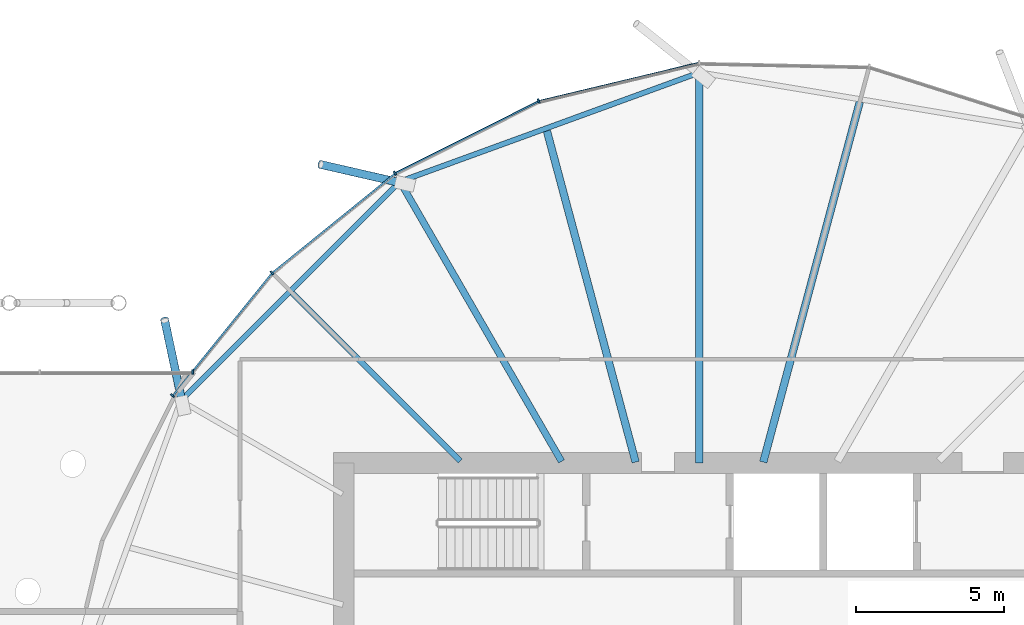
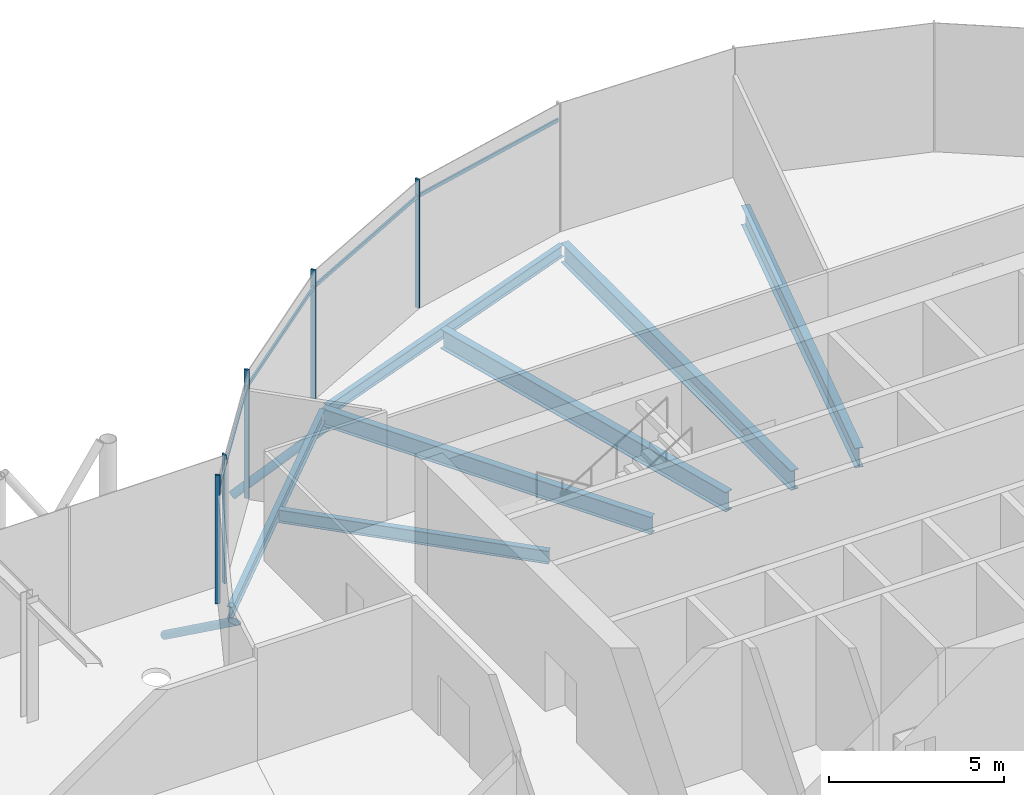
# One storey, part 15 of 36: 11 members, 7 beams, 2 elements without a shape of their own.
"""IFC4 building model written with IfcOpenShell, lengths in metres."""

from ifc_helpers import new_model, si_unit, direction, frame, origin, origin_2d, place, context, subcontext, project, spatial, rectangle, hollow_circle, i_section, extrude, clip, halfspace, material, material_profile, profile_set, type_object, element, aggregate, save


model = new_model("IFC4")

# Units and contexts
model_context = context("Model", 3, precision=1e-05, world=origin(), true_north=direction((0.0, 1.0)))
body_context = subcontext(model_context, "Body", "Model", "MODEL_VIEW")
ifc_project = project(units=[si_unit("LENGTHUNIT", "METRE"), si_unit("AREAUNIT", "SQUARE_METRE"), si_unit("VOLUMEUNIT", "CUBIC_METRE"), si_unit("PLANEANGLEUNIT", "RADIAN"), si_unit("MASSUNIT", "GRAM", prefix="KILO")], contexts=[model_context])

# Site, building, storey
site_placement = place(None, origin())
site = spatial("IfcSite", under=ifc_project, at=site_placement, CompositionType="ELEMENT")
building_placement = place(site_placement, origin())
building = spatial("IfcBuilding", under=site, at=building_placement, Name="Rimbun Link Towers", CompositionType="ELEMENT")
storey_placement = place(building_placement, frame((0.0, 0.0, 154.39990234375)))
storey = spatial("IfcBuildingStorey", under=building, at=storey_placement, Name="L37", CompositionType="ELEMENT", Elevation=154.39990234375)

# Curtain wall, members
ifc_material_1 = material(Name="Aluminium 6063-T6 and low-iron glass", Category="aluminium")
curtain_wall_type = type_object("IfcCurtainWallType", Name="CW5 full height lobby wall", PredefinedType="NOTDEFINED", material=ifc_material_1)
curtain_wall_1_placement = place(storey_placement, origin())
curtain_wall_1 = element("IfcCurtainWall", 1, at=curtain_wall_1_placement, inside=storey, type_object=curtain_wall_type, Name="CW5 L37 T2", PredefinedType="NOTDEFINED")
ifc_material_2 = material(Name="Aluminium 6063-T6", Category="aluminium")
ifc_material_profile_1 = material_profile(ifc_material_2, rectangle(XDim=0.14990234375, YDim=0.06005859375, at=origin_2d()), Name="MULLION 60X150")
ifc_profile_set_1 = profile_set([ifc_material_profile_1], Name="Aluminium 6063-T6")
member_type_1 = type_object("IfcMemberType", Name="CW5 mullion 60X150", PredefinedType="MULLION", material=ifc_profile_set_1)
member_1_placement = place(storey_placement, frame((26.32763671875, 20.2109375, 0.0), z_axis=(0.0, 0.0, 1.0), x_axis=(-0.342963066451, 0.939348888886, 0.0)))
member_1 = element("IfcMember", 2, at=member_1_placement, type_object=member_type_1, Name="CW5 mullion", PredefinedType="MULLION", context=body_context, shape_type="SweptSolid", body=[
    extrude(rectangle(XDim=0.14990234375, YDim=0.06005859375, at=origin_2d()), origin(), (0.0, 0.0, 1.0), 4.5),
])
member_2_placement = place(storey_placement, frame((21.48193359375, 17.777587890625, 0.0), z_axis=(0.0, 0.0, 1.0), x_axis=(-0.542101516084, 0.840313004933, 0.0)))
member_2 = element("IfcMember", 3, at=member_2_placement, type_object=member_type_1, Name="CW5 mullion", PredefinedType="MULLION", context=body_context, shape_type="SweptSolid", body=[
    extrude(rectangle(XDim=0.14990234375, YDim=0.06005859375, at=origin_2d()), origin(), (0.0, 0.0, 1.0), 4.5),
])
member_3_placement = place(storey_placement, frame((17.331787109375, 14.418212890625, 0.0), z_axis=(0.0, 0.0, 1.0), x_axis=(-0.707106781187, 0.707106781187, 0.0)))
member_3 = element("IfcMember", 4, at=member_3_placement, type_object=member_type_1, Name="CW5 mullion", PredefinedType="MULLION", context=body_context, shape_type="SweptSolid", body=[
    extrude(rectangle(XDim=0.14990234375, YDim=0.06005859375, at=origin_2d()), origin(), (0.0, 0.0, 1.0), 4.5),
])
member_4_placement = place(storey_placement, frame((13.97705078125, 10.274658203125, 0.0), z_axis=(0.0, 0.0, 1.0), x_axis=(-0.777276803841, 0.629158779809, 0.0)))
member_4 = element("IfcMember", 5, at=member_4_placement, type_object=member_type_1, Name="CW5 mullion", PredefinedType="MULLION", context=body_context, shape_type="SweptSolid", body=[
    extrude(rectangle(XDim=0.14990234375, YDim=0.06005859375, at=origin_2d()), origin(), (0.0, 0.0, 1.0), 4.5),
])

# Curtain wall, member
curtain_wall_2_placement = place(storey_placement, origin())
curtain_wall_2 = element("IfcCurtainWall", 6, at=curtain_wall_2_placement, inside=storey, type_object=curtain_wall_type, Name="CW5 L37 LB", PredefinedType="NOTDEFINED")
member_5_placement = place(storey_placement, frame((14.66064453125, 11.074951171875, 0.0), z_axis=(0.0, 0.0, 1.0), x_axis=(0.0, 1.0, 0.0)))
member_5 = element("IfcMember", 7, at=member_5_placement, type_object=member_type_1, Name="CW5 mullion", PredefinedType="MULLION", context=body_context, shape_type="SweptSolid", body=[
    extrude(rectangle(XDim=0.14990234375, YDim=0.06005859375, at=origin_2d()), origin(), (0.0, 0.0, 1.0), 4.5),
])
aggregate(curtain_wall_2, [member_5])

# Member
ifc_material_3 = material(Name="Aluminium 6063-T6", Category="aluminium")
ifc_material_profile_2 = material_profile(ifc_material_3, rectangle(XDim=0.06005859375, YDim=0.1201171875, at=origin_2d()), Name="TRANSOM 60X120")
ifc_profile_set_2 = profile_set([ifc_material_profile_2], Name="Aluminium 6063-T6")
member_type_2 = type_object("IfcMemberType", Name="CW5 transom 60X120", PredefinedType="USERDEFINED", material=ifc_profile_set_2)
member_6_placement = place(storey_placement, frame((26.3681640625, 20.207763671875, 3.900146484375), z_axis=(0.972564672801, 0.232632665847, 0.0), x_axis=(-0.232632665847, 0.972564672801, 0.0)))
member_6 = element("IfcMember", 8, at=member_6_placement, type_object=member_type_2, Name="CW5 transom", ObjectType="TRANSOM", PredefinedType="USERDEFINED", context=body_context, shape_type="SweptSolid", body=[
    extrude(rectangle(XDim=0.06005859375, YDim=0.1201171875, at=origin_2d()), origin(), (0.0, 0.0, 1.0), 5.48876953125),
])

member_7_placement = place(storey_placement, frame((21.521484375, 17.783447265625, 3.900146484375), z_axis=(0.893631115408, 0.448802216544, 0.0), x_axis=(-0.448802216544, 0.893631115408, 0.0)))
member_7 = element("IfcMember", 9, at=member_7_placement, type_object=member_type_2, Name="CW5 transom", ObjectType="TRANSOM", PredefinedType="USERDEFINED", context=body_context, shape_type="SweptSolid", body=[
    extrude(rectangle(XDim=0.06005859375, YDim=0.1201171875, at=origin_2d()), origin(), (0.0, 0.0, 1.0), 5.345703125),
])

member_8_placement = place(storey_placement, frame((17.368896484375, 14.432373046875, 3.900146484375), z_axis=(0.777290235302, 0.62914218592, 0.0), x_axis=(-0.62914218592, 0.777290235302, 0.0)))
member_8 = element("IfcMember", 10, at=member_8_placement, type_object=member_type_2, Name="CW5 transom", ObjectType="TRANSOM", PredefinedType="USERDEFINED", context=body_context, shape_type="SweptSolid", body=[
    extrude(rectangle(XDim=0.06005859375, YDim=0.1201171875, at=origin_2d()), origin(), (0.0, 0.0, 1.0), 5.263671875),
])

member_9_placement = place(storey_placement, frame((14.006103515625, 10.289794921875, 3.900146484375), z_axis=(0.62914218592, 0.777290235302, 0.0), x_axis=(-0.777290235302, 0.62914218592, 0.0)))
member_9 = element("IfcMember", 11, at=member_9_placement, type_object=member_type_2, Name="CW5 transom", ObjectType="TRANSOM", PredefinedType="USERDEFINED", context=body_context, shape_type="SweptSolid", body=[
    extrude(rectangle(XDim=0.06005859375, YDim=0.1201171875, at=origin_2d()), origin(), (0.0, 0.0, 1.0), 5.263671875),
])

aggregate(curtain_wall_1, [member_1, member_2, member_3, member_4, member_6, member_7, member_8, member_9])

# Members
ifc_material_4 = material(Name="Steel S355J2H", Category="steel")
ifc_material_profile_3 = material_profile(ifc_material_4, hollow_circle(Radius=0.136474609375, WallThickness=0.012451171875, at=origin_2d()), Name="CHS 273x12.5")
ifc_profile_set_3 = profile_set([ifc_material_profile_3], Name="Steel S355J2H")
member_type_3 = type_object("IfcMemberType", Name="Floor edge link CHS 273x12.5", PredefinedType="BRACE", material=ifc_profile_set_3)
member_10_placement = place(storey_placement, frame((21.674072265625, 17.4521484375, -0.897216796875), z_axis=(-0.818713321777, 0.187938770427, -0.542574893739), x_axis=(-0.223734652121, -0.974650093849, 0.0)))
element("IfcMember", 12, at=member_10_placement, inside=storey, type_object=member_type_3, Name="Floor edge link T2 L37 05", PredefinedType="BRACE", context=body_context, shape_type="Clipping", body=[
    clip(extrude(hollow_circle(Radius=0.136474609375, WallThickness=0.012451171875, at=origin_2d()), frame((0.0, 0.0, -0.441162109375)), (0.0, 0.0, 1.0), 3.7626953125), halfspace(frame((0.0, 0.0, -0.207763671875), z_axis=(0.0, 0.840007431327, -0.542574893739)), False)),
])
member_11_placement = place(storey_placement, frame((14.2978515625, 10.075927734375, -0.64794921875), z_axis=(-0.172369587542, 0.809173504748, -0.561717869134), x_axis=(-0.978055460244, -0.208344706403, 0.0)))
element("IfcMember", 13, at=member_11_placement, inside=storey, type_object=member_type_3, Name="Floor edge link T2 L37 07", PredefinedType="BRACE", context=body_context, shape_type="Clipping", body=[
    clip(extrude(hollow_circle(Radius=0.136474609375, WallThickness=0.012451171875, at=origin_2d()), frame((0.0, 0.0, -0.419921875)), (0.0, 0.0, 1.0), 3.840576171875), halfspace(frame((0.0, 0.0, -0.19775390625), z_axis=(0.0, 0.827328855713, -0.561717869134)), False)),
])

# Beams
ifc_material_5 = material(Name="Steel S355J2", Category="steel")
ifc_material_profile_4 = material_profile(ifc_material_5, i_section(OverallWidth=0.177978515625, OverallDepth=0.406494140625, WebThickness=0.0078125, FlangeThickness=0.0126953125, at=origin_2d()), Name="UB 406x178x60")
ifc_profile_set_4 = profile_set([ifc_material_profile_4], Name="Steel S355J2")
beam_type_1 = type_object("IfcBeamType", Name="UB 406x178x60", PredefinedType="BEAM", material=ifc_profile_set_4)
beam_1_placement = place(storey_placement, frame((31.622314453125, 21.127685546875, -0.383056640625), z_axis=(-0.939626268784, -0.342202388963, 0.0), x_axis=(0.342202388963, -0.939626268784, 0.0)))
element("IfcBeam", 14, at=beam_1_placement, inside=storey, type_object=beam_type_1, Name="Edge beam T2 L37 03-05", PredefinedType="BEAM", context=body_context, shape_type="SweptSolid", body=[
    extrude(i_section(OverallWidth=0.177978515625, OverallDepth=0.406494140625, WebThickness=0.0078125, FlangeThickness=0.0126953125, at=origin_2d()), origin(), (0.0, 0.0, 1.0), 10.49755859375),
])
beam_2_placement = place(storey_placement, frame((21.56494140625, 17.411376953125, -0.383056640625), z_axis=(-0.707094870315, -0.707118691858, 0.0), x_axis=(0.707118691858, -0.707094870315, 0.0)))
element("IfcBeam", 15, at=beam_2_placement, inside=storey, type_object=beam_type_1, Name="Edge beam T2 L37 05-07", PredefinedType="BEAM", context=body_context, shape_type="SweptSolid", body=[
    extrude(i_section(OverallWidth=0.177978515625, OverallDepth=0.406494140625, WebThickness=0.0078125, FlangeThickness=0.0126953125, at=origin_2d()), origin(), (0.0, 0.0, 1.0), 10.248779296875),
])
ifc_material_6 = material(Name="Steel S355J2", Category="steel")
ifc_material_profile_5 = material_profile(ifc_material_6, i_section(OverallWidth=0.18994140625, OverallDepth=0.453369140625, WebThickness=0.008544921875, FlangeThickness=0.0126953125, at=origin_2d()), Name="UB 457x191x67")
ifc_profile_set_5 = profile_set([ifc_material_profile_5], Name="Steel S355J2")
beam_type_2 = type_object("IfcBeamType", Name="UB 457x191x67", PredefinedType="BEAM", material=ifc_profile_set_5)
beam_3_placement = place(storey_placement, frame((23.68212890625, 8.06787109375, -0.406494140625), z_axis=(-0.707106781187, 0.707106781187, 0.0), x_axis=(-0.707106781187, -0.707106781187, 0.0)))
element("IfcBeam", 16, at=beam_3_placement, inside=storey, type_object=beam_type_2, Name="Radial beam T2 L37 06", PredefinedType="BEAM", context=body_context, shape_type="SweptSolid", body=[
    extrude(i_section(OverallWidth=0.18994140625, OverallDepth=0.453369140625, WebThickness=0.008544921875, FlangeThickness=0.0126953125, at=origin_2d()), origin(), (0.0, 0.0, 1.0), 8.013916015625),
])
ifc_material_7 = material(Name="Steel S355J2", Category="steel")
ifc_material_profile_6 = material_profile(ifc_material_7, i_section(OverallWidth=0.2275390625, OverallDepth=0.6025390625, WebThickness=0.010498046875, FlangeThickness=0.014892578125, at=origin_2d()), Name="UB 610x229x101")
ifc_profile_set_6 = profile_set([ifc_material_profile_6], Name="Steel S355J2")
beam_type_3 = type_object("IfcBeamType", Name="UB 610x229x101", PredefinedType="BEAM", material=ifc_profile_set_6)
beam_4_placement = place(storey_placement, frame((27.097900390625, 8.057861328125, -0.481201171875), z_axis=(-0.500015928458, 0.866016207289, 0.0), x_axis=(-0.866016207289, -0.500015928458, 0.0)))
element("IfcBeam", 17, at=beam_4_placement, inside=storey, type_object=beam_type_3, Name="Radial beam T2 L37 05", PredefinedType="BEAM", context=body_context, shape_type="SweptSolid", body=[
    extrude(i_section(OverallWidth=0.2275390625, OverallDepth=0.6025390625, WebThickness=0.010498046875, FlangeThickness=0.014892578125, at=origin_2d()), origin(), (0.0, 0.0, 1.0), 10.897705078125),
])
ifc_material_8 = material(Name="Steel S355J2", Category="steel")
ifc_material_profile_7 = material_profile(ifc_material_8, i_section(OverallWidth=0.253662109375, OverallDepth=0.68359375, WebThickness=0.012451171875, FlangeThickness=0.01904296875, at=origin_2d()), Name="UB 686x254x140")
ifc_profile_set_7 = profile_set([ifc_material_profile_7], Name="Steel S355J2")
beam_type_4 = type_object("IfcBeamType", Name="UB 686x254x140", PredefinedType="BEAM", material=ifc_profile_set_7)
beam_5_placement = place(storey_placement, frame((33.902587890625, 8.03369140625, -0.521484375), z_axis=(0.258819848058, 0.965925611137, 0.0), x_axis=(-0.965925611137, 0.258819848058, 0.0)))
element("IfcBeam", 18, at=beam_5_placement, inside=storey, type_object=beam_type_4, Name="Radial beam T2 L37 02", PredefinedType="BEAM", context=body_context, shape_type="SweptSolid", body=[
    extrude(i_section(OverallWidth=0.253662109375, OverallDepth=0.68359375, WebThickness=0.012451171875, FlangeThickness=0.01904296875, at=origin_2d()), origin(), (0.0, 0.0, 1.0), 12.57763671875),
])
beam_6_placement = place(storey_placement, frame((31.75, 8.0009765625, -0.521484375), z_axis=(0.0, 1.0, 0.0), x_axis=(-1.0, 0.0, 0.0)))
element("IfcBeam", 19, at=beam_6_placement, inside=storey, type_object=beam_type_4, Name="Radial beam T2 L37 03", PredefinedType="BEAM", context=body_context, shape_type="SweptSolid", body=[
    extrude(i_section(OverallWidth=0.253662109375, OverallDepth=0.68359375, WebThickness=0.012451171875, FlangeThickness=0.01904296875, at=origin_2d()), origin(), (0.0, 0.0, 1.0), 13.17333984375),
])
beam_7_placement = place(storey_placement, frame((29.597412109375, 8.03369140625, -0.521484375), z_axis=(-0.25881874375, 0.965925907036, 0.0), x_axis=(-0.965925907036, -0.25881874375, 0.0)))
element("IfcBeam", 20, at=beam_7_placement, inside=storey, type_object=beam_type_4, Name="Radial beam T2 L37 04", PredefinedType="BEAM", context=body_context, shape_type="SweptSolid", body=[
    extrude(i_section(OverallWidth=0.253662109375, OverallDepth=0.68359375, WebThickness=0.012451171875, FlangeThickness=0.01904296875, at=origin_2d()), origin(), (0.0, 0.0, 1.0), 11.564697265625),
])

save(model, "model.ifc")
